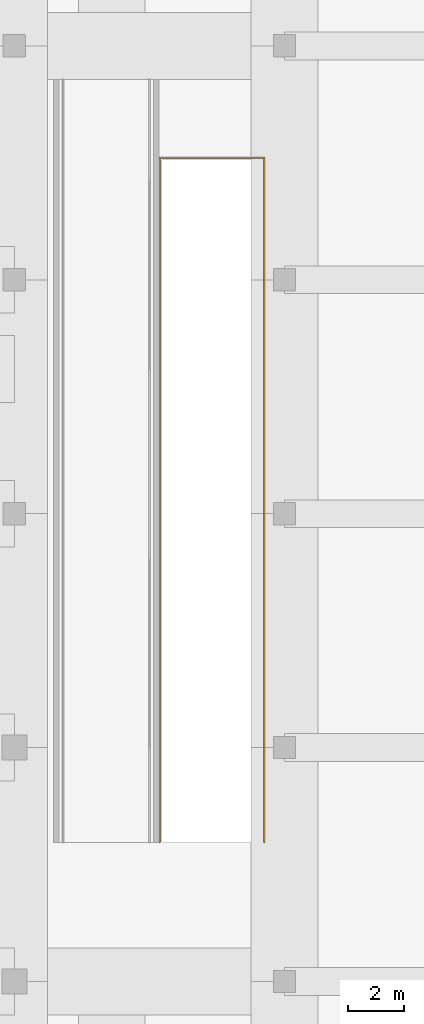
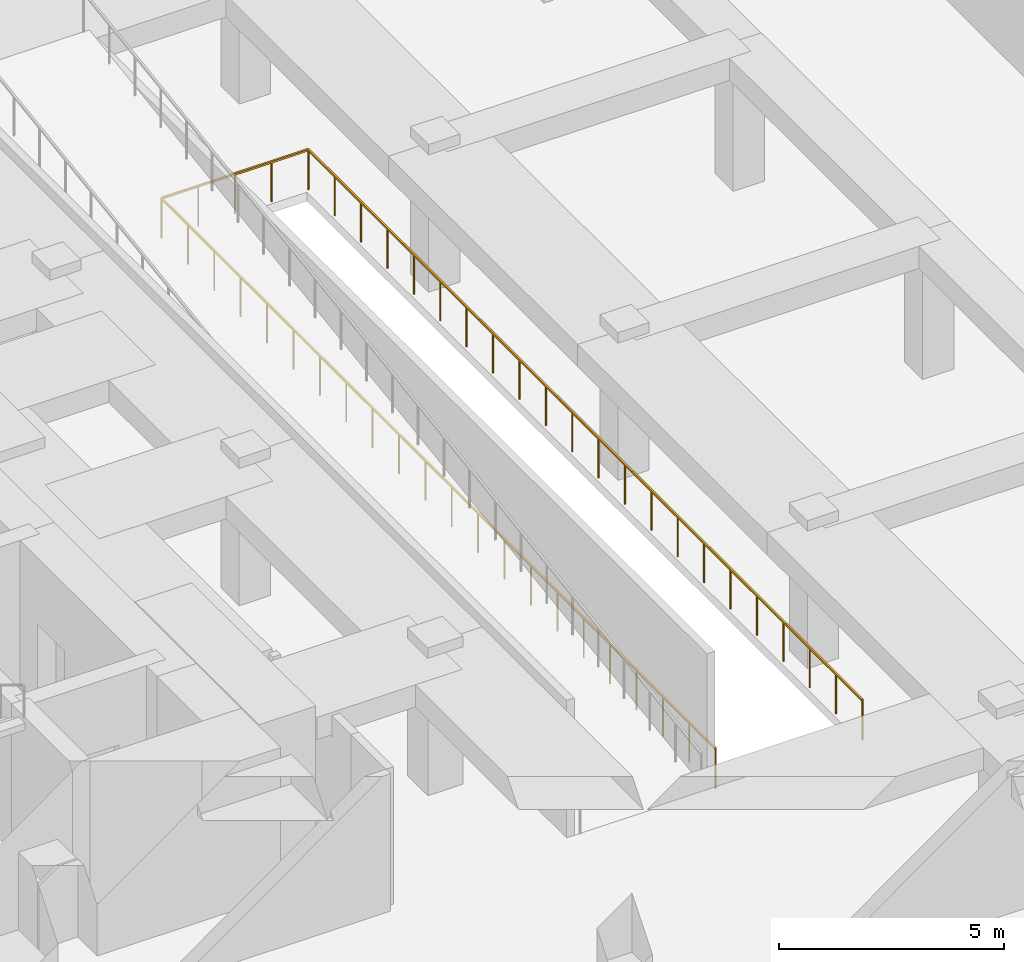
# One storey, part 10 of 10: 1 railing.
"""IFC4 building model written with IfcOpenShell, lengths in metres."""

from ifc_helpers import new_model, si_unit, direction, frame, origin, origin_2d, place, context, subcontext, project, spatial, rectangle, circle, extrude, material, constituent, constituent_set, type_object, element, save


model = new_model("IFC4")

# Units and contexts
model_context = context("Model", 3, precision=1e-05, world=origin(), true_north=direction((0.0, 1.0)))
body_context = subcontext(model_context, "Body", "Model", "MODEL_VIEW")
ifc_project = project(units=[si_unit("LENGTHUNIT", "METRE"), si_unit("AREAUNIT", "SQUARE_METRE"), si_unit("VOLUMEUNIT", "CUBIC_METRE"), si_unit("PLANEANGLEUNIT", "RADIAN"), si_unit("MASSUNIT", "GRAM", prefix="KILO")], contexts=[model_context])

# Site, building, storey
site_placement = place(None, origin())
site = spatial("IfcSite", under=ifc_project, at=site_placement, CompositionType="ELEMENT")
building_placement = place(site_placement, origin())
building = spatial("IfcBuilding", under=site, at=building_placement, Name="Jalousie Tower", CompositionType="ELEMENT")
storey_placement = place(building_placement, frame((0.0, 0.0, -4.0)))
storey = spatial("IfcBuildingStorey", under=building, at=storey_placement, Name="B1", CompositionType="ELEMENT", Elevation=-4.0)

# Railing
ifc_material_1 = material(Name="Steel ASTM A500 Grade C", Category="steel")
ifc_constituent_1 = constituent(ifc_material_1, Name="Body")
ifc_material_2 = material(Name="Hot-dip galvanised zinc coating")
ifc_constituent_2 = constituent(ifc_material_2, Name="Finish")
ifc_constituent_set = constituent_set(constituents=[ifc_constituent_1, ifc_constituent_2])
railing_type = type_object("IfcRailingType", Name="RAMP GUARD 1100", PredefinedType="GUARDRAIL", material=ifc_constituent_set)
railing_placement = place(storey_placement, frame((54.719970703125, 8.0, 0.0)))
element("IfcRailing", 1, at=railing_placement, inside=storey, type_object=railing_type, Name="Ramp opening guard B1", PredefinedType="GUARDRAIL", context=body_context, shape_type="SweptSolid", body=[
    extrude(rectangle(XDim=0.048095703125, YDim=0.048095703125, at=origin_2d()), frame((0.0, 0.0, 1.076171875), z_axis=(0.0, 1.0, 0.0), x_axis=(-1.0, 0.0, 0.0)), (0.0, 0.0, 1.0), 24.580078125),
    extrude(rectangle(XDim=0.048095703125, YDim=0.048095703125, at=origin_2d()), frame((0.0, 24.580078125, 1.076171875), z_axis=(1.0, 0.0, 0.0), x_axis=(0.0, 1.0, 0.0)), (0.0, 0.0, 1.0), 3.760009765625),
    extrude(rectangle(XDim=0.048095703125, YDim=0.048095703125, at=origin_2d()), frame((3.760009765625, 24.580078125, 1.076171875), z_axis=(0.0, -1.0, 0.0), x_axis=(1.0, 0.0, 0.0)), (0.0, 0.0, 1.0), 24.580078125),
    extrude(circle(Radius=0.02099609375, at=origin_2d()), origin(), (0.0, 0.0, 1.0), 1.052001953125),
    extrude(circle(Radius=0.02099609375, at=origin_2d()), frame((0.0, 1.17041015625, 0.0)), (0.0, 0.0, 1.0), 1.052001953125),
    extrude(circle(Radius=0.02099609375, at=origin_2d()), frame((0.0, 2.341064453125, 0.0)), (0.0, 0.0, 1.0), 1.052001953125),
    extrude(circle(Radius=0.02099609375, at=origin_2d()), frame((0.0, 3.511474609375, 0.0)), (0.0, 0.0, 1.0), 1.052001953125),
    extrude(circle(Radius=0.02099609375, at=origin_2d()), frame((0.0, 4.681884765625, 0.0)), (0.0, 0.0, 1.0), 1.052001953125),
    extrude(circle(Radius=0.02099609375, at=origin_2d()), frame((0.0, 5.852294921875, 0.0)), (0.0, 0.0, 1.0), 1.052001953125),
    extrude(circle(Radius=0.02099609375, at=origin_2d()), frame((0.0, 7.02294921875, 0.0)), (0.0, 0.0, 1.0), 1.052001953125),
    extrude(circle(Radius=0.02099609375, at=origin_2d()), frame((0.0, 8.193359375, 0.0)), (0.0, 0.0, 1.0), 1.052001953125),
    extrude(circle(Radius=0.02099609375, at=origin_2d()), frame((0.0, 9.36376953125, 0.0)), (0.0, 0.0, 1.0), 1.052001953125),
    extrude(circle(Radius=0.02099609375, at=origin_2d()), frame((0.0, 10.534423828125, 0.0)), (0.0, 0.0, 1.0), 1.052001953125),
    extrude(circle(Radius=0.02099609375, at=origin_2d()), frame((0.0, 11.704833984375, 0.0)), (0.0, 0.0, 1.0), 1.052001953125),
    extrude(circle(Radius=0.02099609375, at=origin_2d()), frame((0.0, 12.875244140625, 0.0)), (0.0, 0.0, 1.0), 1.052001953125),
    extrude(circle(Radius=0.02099609375, at=origin_2d()), frame((0.0, 14.045654296875, 0.0)), (0.0, 0.0, 1.0), 1.052001953125),
    extrude(circle(Radius=0.02099609375, at=origin_2d()), frame((0.0, 15.21630859375, 0.0)), (0.0, 0.0, 1.0), 1.052001953125),
    extrude(circle(Radius=0.02099609375, at=origin_2d()), frame((0.0, 16.38671875, 0.0)), (0.0, 0.0, 1.0), 1.052001953125),
    extrude(circle(Radius=0.02099609375, at=origin_2d()), frame((0.0, 17.55712890625, 0.0)), (0.0, 0.0, 1.0), 1.052001953125),
    extrude(circle(Radius=0.02099609375, at=origin_2d()), frame((0.0, 18.727783203125, 0.0)), (0.0, 0.0, 1.0), 1.052001953125),
    extrude(circle(Radius=0.02099609375, at=origin_2d()), frame((0.0, 19.898193359375, 0.0)), (0.0, 0.0, 1.0), 1.052001953125),
    extrude(circle(Radius=0.02099609375, at=origin_2d()), frame((0.0, 21.068603515625, 0.0)), (0.0, 0.0, 1.0), 1.052001953125),
    extrude(circle(Radius=0.02099609375, at=origin_2d()), frame((0.0, 22.239013671875, 0.0)), (0.0, 0.0, 1.0), 1.052001953125),
    extrude(circle(Radius=0.02099609375, at=origin_2d()), frame((0.0, 23.40966796875, 0.0)), (0.0, 0.0, 1.0), 1.052001953125),
    extrude(circle(Radius=0.02099609375, at=origin_2d()), frame((0.0, 24.580078125, 0.0)), (0.0, 0.0, 1.0), 1.052001953125),
    extrude(circle(Radius=0.02099609375, at=origin_2d()), frame((0.93994140625, 24.580078125, 0.0)), (0.0, 0.0, 1.0), 1.052001953125),
    extrude(circle(Radius=0.02099609375, at=origin_2d()), frame((1.8798828125, 24.580078125, 0.0)), (0.0, 0.0, 1.0), 1.052001953125),
    extrude(circle(Radius=0.02099609375, at=origin_2d()), frame((2.820068359375, 24.580078125, 0.0)), (0.0, 0.0, 1.0), 1.052001953125),
    extrude(circle(Radius=0.02099609375, at=origin_2d()), frame((3.760009765625, 24.580078125, 0.0)), (0.0, 0.0, 1.0), 1.052001953125),
    extrude(circle(Radius=0.02099609375, at=origin_2d()), frame((3.760009765625, 23.40966796875, 0.0)), (0.0, 0.0, 1.0), 1.052001953125),
    extrude(circle(Radius=0.02099609375, at=origin_2d()), frame((3.760009765625, 22.239013671875, 0.0)), (0.0, 0.0, 1.0), 1.052001953125),
    extrude(circle(Radius=0.02099609375, at=origin_2d()), frame((3.760009765625, 21.068603515625, 0.0)), (0.0, 0.0, 1.0), 1.052001953125),
    extrude(circle(Radius=0.02099609375, at=origin_2d()), frame((3.760009765625, 19.898193359375, 0.0)), (0.0, 0.0, 1.0), 1.052001953125),
    extrude(circle(Radius=0.02099609375, at=origin_2d()), frame((3.760009765625, 18.727783203125, 0.0)), (0.0, 0.0, 1.0), 1.052001953125),
    extrude(circle(Radius=0.02099609375, at=origin_2d()), frame((3.760009765625, 17.55712890625, 0.0)), (0.0, 0.0, 1.0), 1.052001953125),
    extrude(circle(Radius=0.02099609375, at=origin_2d()), frame((3.760009765625, 16.38671875, 0.0)), (0.0, 0.0, 1.0), 1.052001953125),
    extrude(circle(Radius=0.02099609375, at=origin_2d()), frame((3.760009765625, 15.21630859375, 0.0)), (0.0, 0.0, 1.0), 1.052001953125),
    extrude(circle(Radius=0.02099609375, at=origin_2d()), frame((3.760009765625, 14.045654296875, 0.0)), (0.0, 0.0, 1.0), 1.052001953125),
    extrude(circle(Radius=0.02099609375, at=origin_2d()), frame((3.760009765625, 12.875244140625, 0.0)), (0.0, 0.0, 1.0), 1.052001953125),
    extrude(circle(Radius=0.02099609375, at=origin_2d()), frame((3.760009765625, 11.704833984375, 0.0)), (0.0, 0.0, 1.0), 1.052001953125),
    extrude(circle(Radius=0.02099609375, at=origin_2d()), frame((3.760009765625, 10.534423828125, 0.0)), (0.0, 0.0, 1.0), 1.052001953125),
    extrude(circle(Radius=0.02099609375, at=origin_2d()), frame((3.760009765625, 9.36376953125, 0.0)), (0.0, 0.0, 1.0), 1.052001953125),
    extrude(circle(Radius=0.02099609375, at=origin_2d()), frame((3.760009765625, 8.193359375, 0.0)), (0.0, 0.0, 1.0), 1.052001953125),
    extrude(circle(Radius=0.02099609375, at=origin_2d()), frame((3.760009765625, 7.02294921875, 0.0)), (0.0, 0.0, 1.0), 1.052001953125),
    extrude(circle(Radius=0.02099609375, at=origin_2d()), frame((3.760009765625, 5.852294921875, 0.0)), (0.0, 0.0, 1.0), 1.052001953125),
    extrude(circle(Radius=0.02099609375, at=origin_2d()), frame((3.760009765625, 4.681884765625, 0.0)), (0.0, 0.0, 1.0), 1.052001953125),
    extrude(circle(Radius=0.02099609375, at=origin_2d()), frame((3.760009765625, 3.511474609375, 0.0)), (0.0, 0.0, 1.0), 1.052001953125),
    extrude(circle(Radius=0.02099609375, at=origin_2d()), frame((3.760009765625, 2.341064453125, 0.0)), (0.0, 0.0, 1.0), 1.052001953125),
    extrude(circle(Radius=0.02099609375, at=origin_2d()), frame((3.760009765625, 1.17041015625, 0.0)), (0.0, 0.0, 1.0), 1.052001953125),
    extrude(circle(Radius=0.02099609375, at=origin_2d()), frame((3.760009765625, 0.0, 0.0)), (0.0, 0.0, 1.0), 1.052001953125),
])

save(model, "model.ifc")
